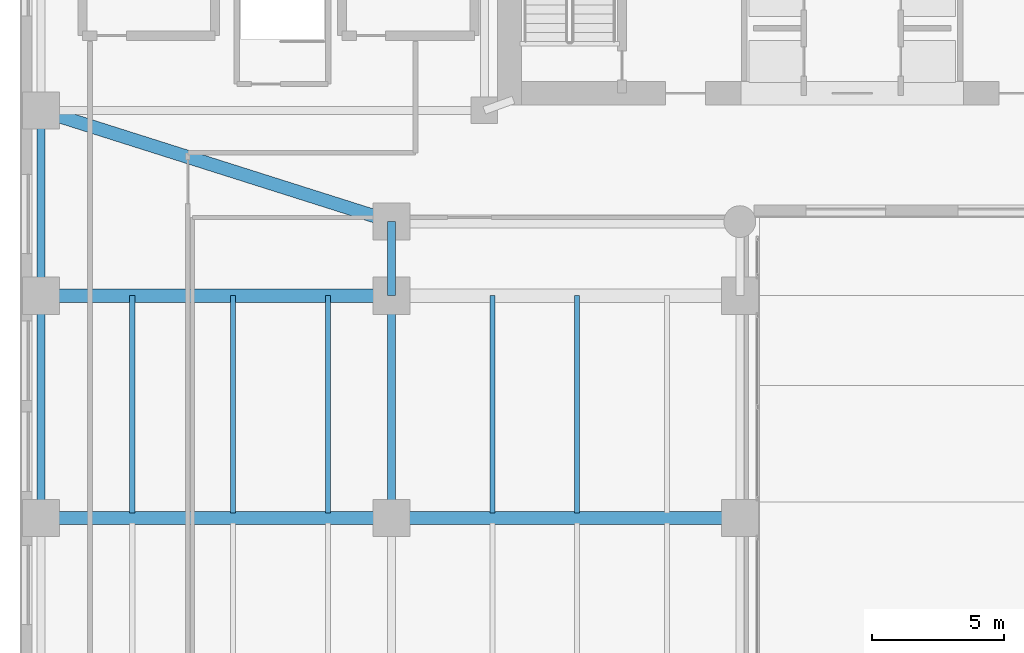
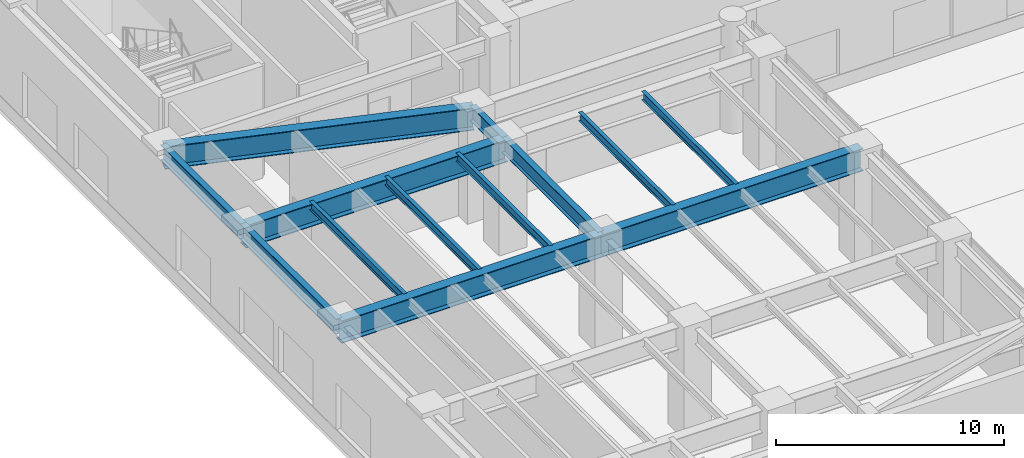
# One storey, part 5 of 28: 13 beams.
"""IFC4 building model written with IfcOpenShell, lengths in metres."""

from ifc_helpers import new_model, si_unit, direction, frame, origin, origin_2d, place, context, subcontext, project, spatial, i_section, extrude, source, transform, mapped, material, material_profile, profile_set, type_object, type_shapes, element, save


model = new_model("IFC4")

# Units and contexts
model_context = context("Model", 3, precision=1e-05, world=origin(), true_north=direction((0.0, 1.0)))
body_context = subcontext(model_context, "Body", "Model", "MODEL_VIEW")
ifc_project = project(units=[si_unit("LENGTHUNIT", "METRE"), si_unit("AREAUNIT", "SQUARE_METRE"), si_unit("VOLUMEUNIT", "CUBIC_METRE"), si_unit("PLANEANGLEUNIT", "RADIAN"), si_unit("MASSUNIT", "GRAM", prefix="KILO")], contexts=[model_context])

# Site, building, storey
site_placement = place(None, origin())
site = spatial("IfcSite", under=ifc_project, at=site_placement, CompositionType="ELEMENT")
building_placement = place(site_placement, origin())
building = spatial("IfcBuilding", under=site, at=building_placement, Name="Tolvann Quenvar Hotel", CompositionType="ELEMENT")
storey_placement = place(building_placement, origin())
storey = spatial("IfcBuildingStorey", under=building, at=storey_placement, Name="L00", CompositionType="ELEMENT", Elevation=0.0)

# Beams
ifc_material = material(Name="Steel Grade 350", Category="steel")
ifc_material_profile_1 = material_profile(ifc_material, i_section(OverallWidth=0.5, OverallDepth=1.199951171875, WebThickness=0.01611328125, FlangeThickness=0.0400390625, at=origin_2d()), Name="1200WB455")
ifc_profile_set_1 = profile_set([ifc_material_profile_1], Name="Steel Grade 350")
beam_type_1 = type_object("IfcBeamType", Name="BM_TG_1200WB455", PredefinedType="USERDEFINED", material=ifc_profile_set_1)
shared_shape_1 = source(origin(), body_context, "Body", "SweptSolid", [
    extrude(i_section(OverallWidth=0.5, OverallDepth=1.199951171875, WebThickness=0.01611328125, FlangeThickness=0.0400390625, at=origin_2d()), origin(), (0.0, 0.0, 1.0), 13.25),
])
for number, where, z_axis, x_axis, name in (
    (1, (-7.64990234375, 16.0, 5.139892578125), (1.0, 0.0, 0.0), (0.0, 1.0, 0.0), "BM-L00-GW1-3"),
    (2, (-7.64990234375, 24.39990234375, 5.139892578125), (1.0, 0.0, 0.0), (0.0, 1.0, 0.0), "BM-L00-GW1-4"),
):
    element("IfcBeam", number, at=place(storey_placement, frame(where, z_axis=z_axis, x_axis=x_axis)), inside=storey, type_object=beam_type_1, Name=name, ObjectType="TRANSFER GIRDER", PredefinedType="USERDEFINED", context=body_context, shape_type="MappedRepresentation", body=[
        mapped(shared_shape_1, transform((0.0, 0.0, 0.0), x_axis=(1.0, 0.0, 0.0), y_axis=(0.0, 1.0, 0.0), z_axis=(0.0, 0.0, 1.0), scale=1.0)),
    ])
shared_shape_2 = source(origin(), body_context, "Body", "SweptSolid", [
    extrude(i_section(OverallWidth=0.5, OverallDepth=1.199951171875, WebThickness=0.01611328125, FlangeThickness=0.0400390625, at=origin_2d()), origin(), (0.0, 0.0, 1.0), 13.14990234375),
])
beam_1_placement = place(storey_placement, frame((5.60009765625, 16.0, 5.139892578125), z_axis=(1.0, 0.0, 0.0), x_axis=(0.0, 1.0, 0.0)))
element("IfcBeam", 3, at=beam_1_placement, inside=storey, type_object=beam_type_1, Name="BM-L00-GW2-3", ObjectType="TRANSFER GIRDER", PredefinedType="USERDEFINED", context=body_context, shape_type="MappedRepresentation", body=[
    mapped(shared_shape_2, transform((0.0, 0.0, 0.0), x_axis=(1.0, 0.0, 0.0), y_axis=(0.0, 1.0, 0.0), z_axis=(0.0, 0.0, 1.0), scale=1.0)),
])
shared_shape_3 = source(origin(), body_context, "Body", "SweptSolid", [
    extrude(i_section(OverallWidth=0.5, OverallDepth=1.199951171875, WebThickness=0.01611328125, FlangeThickness=0.0400390625, at=origin_2d()), origin(), (0.0, 0.0, 1.0), 13.899658203125),
])
type_shapes(beam_type_1, [shared_shape_1, shared_shape_2, shared_shape_3])
beam_2_placement = place(storey_placement, frame((-7.64990234375, 31.39990234375, 5.139892578125), z_axis=(0.953256923778, -0.302160945971, 0.0), x_axis=(0.302160945971, 0.953256923778, 0.0)))
element("IfcBeam", 4, at=beam_2_placement, inside=storey, type_object=beam_type_1, Name="BM-L00-GW1-5", ObjectType="TRANSFER GIRDER", PredefinedType="USERDEFINED", context=body_context, shape_type="MappedRepresentation", body=[
    mapped(shared_shape_3, transform((0.0, 0.0, 0.0), x_axis=(1.0, 0.0, 0.0), y_axis=(0.0, 1.0, 0.0), z_axis=(0.0, 0.0, 1.0), scale=1.0)),
])
ifc_material_profile_2 = material_profile(ifc_material, i_section(OverallWidth=0.300048828125, OverallDepth=0.81591796875, WebThickness=0.010009765625, FlangeThickness=0.028076171875, at=origin_2d()), Name="800WB192")
ifc_profile_set_2 = profile_set([ifc_material_profile_2], Name="Steel Grade 350")
beam_type_2 = type_object("IfcBeamType", Name="BM_GIRD_800WB192", PredefinedType="BEAM", material=ifc_profile_set_2)
shared_shape_4 = source(origin(), body_context, "Body", "SweptSolid", [
    extrude(i_section(OverallWidth=0.300048828125, OverallDepth=0.81591796875, WebThickness=0.010009765625, FlangeThickness=0.028076171875, at=origin_2d()), origin(), (0.0, 0.0, 1.0), 8.39990234375),
])
for number, where, z_axis, x_axis, name in (
    (5, (5.60009765625, 16.0, 5.33203125), (0.0, 1.0, 0.0), (-1.0, 0.0, 0.0), "BM-L00-NS-PBAL-2"),
    (6, (-7.64990234375, 16.0, 5.33203125), (0.0, 1.0, 0.0), (-1.0, 0.0, 0.0), "BM-L00-NS-A-2"),
):
    element("IfcBeam", number, at=place(storey_placement, frame(where, z_axis=z_axis, x_axis=x_axis)), inside=storey, type_object=beam_type_2, Name=name, PredefinedType="BEAM", context=body_context, shape_type="MappedRepresentation", body=[
        mapped(shared_shape_4, transform((0.0, 0.0, 0.0), x_axis=(1.0, 0.0, 0.0), y_axis=(0.0, 1.0, 0.0), z_axis=(0.0, 0.0, 1.0), scale=1.0)),
    ])
shared_shape_5 = source(origin(), body_context, "Body", "SweptSolid", [
    extrude(i_section(OverallWidth=0.300048828125, OverallDepth=0.81591796875, WebThickness=0.010009765625, FlangeThickness=0.028076171875, at=origin_2d()), origin(), (0.0, 0.0, 1.0), 2.800048828125),
])
beam_3_placement = place(storey_placement, frame((5.60009765625, 24.39990234375, 5.33203125), z_axis=(0.0, 1.0, 0.0), x_axis=(-1.0, 0.0, 0.0)))
element("IfcBeam", 7, at=beam_3_placement, inside=storey, type_object=beam_type_2, Name="BM-L00-NS-PBAL-3", PredefinedType="BEAM", context=body_context, shape_type="MappedRepresentation", body=[
    mapped(shared_shape_5, transform((0.0, 0.0, 0.0), x_axis=(1.0, 0.0, 0.0), y_axis=(0.0, 1.0, 0.0), z_axis=(0.0, 0.0, 1.0), scale=1.0)),
])
shared_shape_6 = source(origin(), body_context, "Body", "SweptSolid", [
    extrude(i_section(OverallWidth=0.300048828125, OverallDepth=0.81591796875, WebThickness=0.010009765625, FlangeThickness=0.028076171875, at=origin_2d()), origin(), (0.0, 0.0, 1.0), 7.0),
])
type_shapes(beam_type_2, [shared_shape_4, shared_shape_5, shared_shape_6])
beam_4_placement = place(storey_placement, frame((-7.64990234375, 24.39990234375, 5.33203125), z_axis=(0.0, 1.0, 0.0), x_axis=(-1.0, 0.0, 0.0)))
element("IfcBeam", 8, at=beam_4_placement, inside=storey, type_object=beam_type_2, Name="BM-L00-NS-A-3", PredefinedType="BEAM", context=body_context, shape_type="MappedRepresentation", body=[
    mapped(shared_shape_6, transform((0.0, 0.0, 0.0), x_axis=(1.0, 0.0, 0.0), y_axis=(0.0, 1.0, 0.0), z_axis=(0.0, 0.0, 1.0), scale=1.0)),
])
ifc_material_profile_3 = material_profile(ifc_material, i_section(OverallWidth=0.18994140625, OverallDepth=0.4541015625, WebThickness=0.008544921875, FlangeThickness=0.0126953125, FilletRadius=0.011474609375, at=origin_2d()), Name="460UB67")
ifc_profile_set_3 = profile_set([ifc_material_profile_3], Name="Steel Grade 350")
beam_type_3 = type_object("IfcBeamType", Name="BM_JOIST_460UB67", PredefinedType="JOIST", material=ifc_profile_set_3)
shared_shape_7 = source(origin(), body_context, "Body", "SweptSolid", [
    extrude(i_section(OverallWidth=0.18994140625, OverallDepth=0.4541015625, WebThickness=0.008544921875, FlangeThickness=0.0126953125, FilletRadius=0.011474609375, at=origin_2d()), origin(), (0.0, 0.0, 1.0), 8.21484375),
])
type_shapes(beam_type_3, [shared_shape_7])
for number, where, z_axis, x_axis, name in (
    (9, (-4.199951171875, 16.18505859375, 5.512939453125), (0.0, 1.0, 0.0), (-1.0, 0.0, 0.0), "BJ-L00--42-160"),
    (10, (-0.39990234375, 16.18505859375, 5.512939453125), (0.0, 1.0, 0.0), (-1.0, 0.0, 0.0), "BJ-L00--4-160"),
    (11, (3.199951171875, 16.18505859375, 5.512939453125), (0.0, 1.0, 0.0), (-1.0, 0.0, 0.0), "BJ-L00-32-160"),
    (12, (9.39990234375, 16.18505859375, 5.512939453125), (0.0, 1.0, 0.0), (-1.0, 0.0, 0.0), "BJ-L00-94-160"),
    (13, (12.60009765625, 16.18505859375, 5.512939453125), (0.0, 1.0, 0.0), (-1.0, 0.0, 0.0), "BJ-L00-126-160"),
):
    element("IfcBeam", number, at=place(storey_placement, frame(where, z_axis=z_axis, x_axis=x_axis)), inside=storey, type_object=beam_type_3, Name=name, PredefinedType="JOIST", context=body_context, shape_type="MappedRepresentation", body=[
        mapped(shared_shape_7, transform((0.0, 0.0, 0.0), x_axis=(1.0, 0.0, 0.0), y_axis=(0.0, 1.0, 0.0), z_axis=(0.0, 0.0, 1.0), scale=1.0)),
    ])

save(model, "model.ifc")
